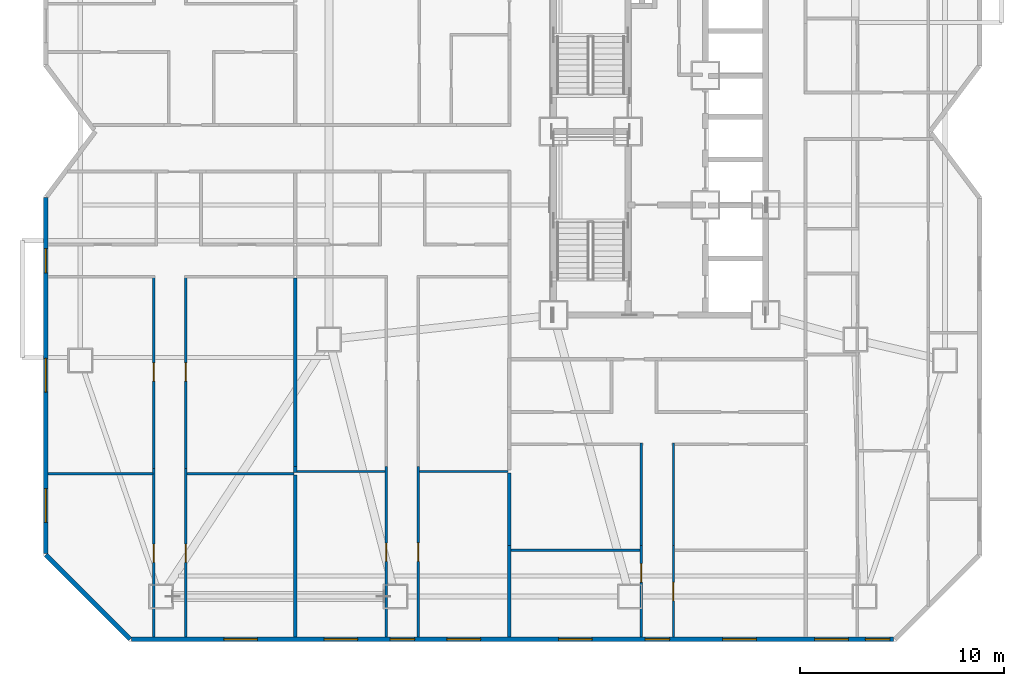
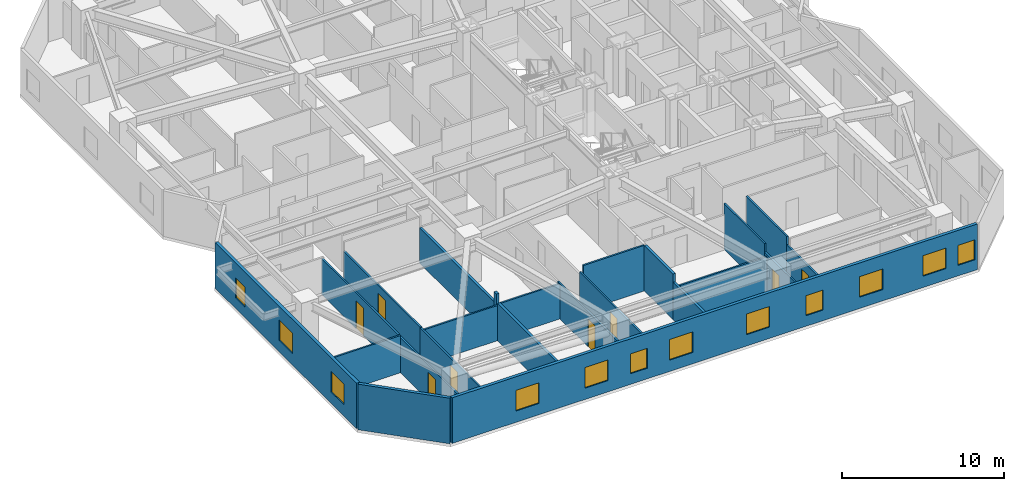
# One storey, part 7 of 14: 23 walls, 12 windows, 8 doors, 20 openings.
"""IFC4 building model written with IfcOpenShell, lengths in metres."""

from ifc_helpers import new_model, si_unit, direction, frame, frame_2d, origin, place, context, subcontext, project, spatial, rectangle, extrude, material, layer, layer_set, type_object, element, fill, save


model = new_model("IFC4")

# Units and contexts
model_context = context("Model", 3, precision=1e-05, world=origin(), true_north=direction((0.0, 1.0)))
body_context = subcontext(model_context, "Body", "Model", "MODEL_VIEW")
ifc_project = project(units=[si_unit("LENGTHUNIT", "METRE"), si_unit("AREAUNIT", "SQUARE_METRE"), si_unit("VOLUMEUNIT", "CUBIC_METRE"), si_unit("PLANEANGLEUNIT", "RADIAN"), si_unit("MASSUNIT", "GRAM", prefix="KILO")], contexts=[model_context])

# Site, building, storey
site_placement = place(None, origin())
site = spatial("IfcSite", under=ifc_project, at=site_placement, CompositionType="ELEMENT")
building_placement = place(site_placement, origin())
building = spatial("IfcBuilding", under=site, at=building_placement, Name="Khamvora Tower", CompositionType="ELEMENT")
storey_placement = place(building_placement, frame((0.0, 0.0, 40.60009765625)))
storey = spatial("IfcBuildingStorey", under=building, at=storey_placement, Name="L09", CompositionType="ELEMENT", Elevation=40.60009765625)

# Walls
ifc_material_1 = material(Name="Acoustic Double-Stud Fire Wall", Category="gypsum")
ifc_layer_1 = layer(ifc_material_1, 0.179931640625)
ifc_layer_set_1 = layer_set([ifc_layer_1], Name="Acoustic Double-Stud Fire Wall")
wall_type_1 = type_object("IfcWallType", Name="WAL-CORR-180", PredefinedType="STANDARD", material=ifc_layer_set_1)
wall_1_placement = place(storey_placement, frame((16.345947265625, 11.1630859375, 0.0), z_axis=(0.0, 0.0, 1.0), x_axis=(0.0, -1.0, 0.0)))
element("IfcWall", 1, at=wall_1_placement, inside=storey, type_object=wall_type_1, Name="L09 interior partition wall 053", PredefinedType="STANDARD", context=body_context, shape_type="SweptSolid", body=[
    extrude(rectangle(XDim=7.951171875, YDim=0.179931640625, at=frame_2d((3.9755859375, 0.0))), origin(), (0.0, 0.0, 1.0), 2.802978515625),
])
wall_2_placement = place(storey_placement, frame((16.345947265625, 11.5810546875, 0.0), z_axis=(0.0, 0.0, 1.0), x_axis=(0.0, -1.0, 0.0)))
element("IfcWall", 2, at=wall_2_placement, inside=storey, type_object=wall_type_1, Name="L09 interior partition wall 054", PredefinedType="STANDARD", context=body_context, shape_type="SweptSolid", body=[
    extrude(rectangle(XDim=0.2880859375, YDim=0.179931640625, at=frame_2d((0.14404296875, 0.0))), origin(), (0.0, 0.0, 1.0), 3.429931640625),
])
wall_3_placement = place(storey_placement, frame((16.345947265625, 20.81005859375, 0.0), z_axis=(0.0, 0.0, 1.0), x_axis=(0.0, -1.0, 0.0)))
element("IfcWall", 3, at=wall_3_placement, inside=storey, type_object=wall_type_1, Name="L09 interior partition wall 055", PredefinedType="STANDARD", context=body_context, shape_type="SweptSolid", body=[
    extrude(rectangle(XDim=9.22900390625, YDim=0.179931640625, at=frame_2d((4.614501953125, 0.0))), origin(), (0.0, 0.0, 1.0), 2.64697265625),
])
wall_4_placement = place(storey_placement, frame((26.8349609375, 7.7119140625, 0.0), z_axis=(0.0, 0.0, 1.0), x_axis=(0.0, -1.0, 0.0)))
element("IfcWall", 4, at=wall_4_placement, inside=storey, type_object=wall_type_1, Name="L09 interior partition wall 068", PredefinedType="STANDARD", context=body_context, shape_type="SweptSolid", body=[
    extrude(rectangle(XDim=4.5, YDim=0.179931640625, at=frame_2d((2.25, 0.0))), origin(), (0.0, 0.0, 1.0), 2.802978515625),
])
wall_5_placement = place(storey_placement, frame((26.8349609375, 11.26708984375, 0.0), z_axis=(0.0, 0.0, 1.0), x_axis=(0.0, -1.0, 0.0)))
element("IfcWall", 5, at=wall_5_placement, inside=storey, type_object=wall_type_1, Name="L09 interior partition wall 069", PredefinedType="STANDARD", context=body_context, shape_type="SweptSolid", body=[
    extrude(rectangle(XDim=3.55517578125, YDim=0.179931640625, at=frame_2d((1.777587890625, 0.0))), origin(), (0.0, 0.0, 1.0), 3.429931640625),
])
ifc_material_2 = material(Name="Precast concrete C40/50", Category="concrete")
ifc_layer_2 = layer(ifc_material_2, 0.219970703125)
ifc_layer_set_2 = layer_set([ifc_layer_2], Name="Precast concrete C40/50")
wall_type_2 = type_object("IfcWallType", Name="WAL-EXT-220", PredefinedType="STANDARD", material=ifc_layer_set_2)
wall_6_placement = place(storey_placement, frame((8.24609375, 3.110107421875, 0.0), z_axis=(0.0, 0.0, 1.0), x_axis=(-0.707106781187, 0.707106781187, 0.0)))
element("IfcWall", 6, at=wall_6_placement, inside=storey, type_object=wall_type_2, Name="L09 exterior facade wall 01.1", PredefinedType="STANDARD", context=body_context, shape_type="SweptSolid", body=[
    extrude(rectangle(XDim=5.84912109375, YDim=0.219970703125, at=frame_2d((2.924560546875, 0.0))), origin(), (0.0, 0.0, 1.0), 3.429931640625),
])

# Wall, openings, windows
wall_7_placement = place(storey_placement, frame((4.110107421875, 7.31689453125, 0.0), z_axis=(0.0, 0.0, 1.0), x_axis=(0.0, 1.0, 0.0)))
wall_7 = element("IfcWall", 7, at=wall_7_placement, inside=storey, type_object=wall_type_2, Name="L09 exterior facade wall 02.1", PredefinedType="STANDARD", context=body_context, shape_type="SweptSolid", body=[
    extrude(rectangle(XDim=17.446044921875, YDim=0.219970703125, at=frame_2d((8.72314453125, 0.0))), origin(), (0.0, 0.0, 1.0), 3.429931640625),
])
opening_1_placement = place(wall_7_placement, frame((13.748046875, 0.0, 0.800048828125)))
opening_1 = element("IfcOpeningElement", 8, at=opening_1_placement, cuts=wall_7, Name="Opening WN-03", PredefinedType="OPENING", context=body_context, shape_type="SweptSolid", body=[
    extrude(rectangle(XDim=1.199951171875, YDim=1.5, at=frame_2d((0.60009765625, 0.75))), frame((0.0, 0.119873046875, 0.0), z_axis=(0.0, -1.0, 0.0), x_axis=(1.0, 0.0, 0.0)), (0.0, 0.0, 1.0), 0.239990234375),
])
opening_2_placement = place(wall_7_placement, frame((1.52294921875, 0.0, 0.85009765625)))
opening_2 = element("IfcOpeningElement", 9, at=opening_2_placement, cuts=wall_7, Name="Opening WN-06", PredefinedType="OPENING", context=body_context, shape_type="SweptSolid", body=[
    extrude(rectangle(XDim=1.64990234375, YDim=1.550048828125, at=frame_2d((0.824951171875, 0.77490234375))), frame((0.0, 0.119873046875, 0.0), z_axis=(0.0, -1.0, 0.0), x_axis=(1.0, 0.0, 0.0)), (0.0, 0.0, 1.0), 0.239990234375),
])
opening_3_placement = place(wall_7_placement, frame((7.909912109375, 0.0, 0.85009765625)))
opening_3 = element("IfcOpeningElement", 10, at=opening_3_placement, cuts=wall_7, Name="Opening WN-06", PredefinedType="OPENING", context=body_context, shape_type="SweptSolid", body=[
    extrude(rectangle(XDim=1.64990234375, YDim=1.550048828125, at=frame_2d((0.824951171875, 0.77490234375))), frame((0.0, 0.119873046875, 0.0), z_axis=(0.0, -1.0, 0.0), x_axis=(1.0, 0.0, 0.0)), (0.0, 0.0, 1.0), 0.239990234375),
])
ifc_material_3 = material(Name="Low-E Laminated Double Glazing", Category="glass")
window_type_1 = type_object("IfcWindowType", Name="WIN-VIS-1200x1500", PartitioningType="SINGLE_PANEL", PredefinedType="WINDOW", material=ifc_material_3)
window_1_placement = place(opening_1_placement, origin())
window_1 = element("IfcWindow", 11, at=window_1_placement, inside=storey, type_object=window_type_1, Name="L09 vision window 02.1.01", OverallHeight=1.5, OverallWidth=1.199951171875, PartitioningType="SINGLE_PANEL", PredefinedType="WINDOW", context=body_context, shape_type="SweptSolid", body=[
    extrude(rectangle(XDim=1.199951171875, YDim=1.5, at=frame_2d((0.60009765625, 0.75))), frame((0.0, 0.030029296875, 0.0), z_axis=(0.0, -1.0, 0.0), x_axis=(1.0, 0.0, 0.0)), (0.0, 0.0, 1.0), 0.06005859375),
])
fill(opening_1, window_1)
window_type_2 = type_object("IfcWindowType", Name="WIN-VIS-1650x1550", PartitioningType="SINGLE_PANEL", PredefinedType="WINDOW", material=ifc_material_3)
window_2_placement = place(opening_2_placement, origin())
window_2 = element("IfcWindow", 12, at=window_2_placement, inside=storey, type_object=window_type_2, Name="L09 vision window 02.1.02", OverallHeight=1.550048828125, OverallWidth=1.64990234375, PartitioningType="SINGLE_PANEL", PredefinedType="WINDOW", context=body_context, shape_type="SweptSolid", body=[
    extrude(rectangle(XDim=1.64990234375, YDim=1.550048828125, at=frame_2d((0.824951171875, 0.77490234375))), frame((0.0, 0.030029296875, 0.0), z_axis=(0.0, -1.0, 0.0), x_axis=(1.0, 0.0, 0.0)), (0.0, 0.0, 1.0), 0.06005859375),
])
fill(opening_2, window_2)
window_3_placement = place(opening_3_placement, origin())
window_3 = element("IfcWindow", 13, at=window_3_placement, inside=storey, type_object=window_type_2, Name="L09 vision window 02.1.03", OverallHeight=1.550048828125, OverallWidth=1.64990234375, PartitioningType="SINGLE_PANEL", PredefinedType="WINDOW", context=body_context, shape_type="SweptSolid", body=[
    extrude(rectangle(XDim=1.64990234375, YDim=1.550048828125, at=frame_2d((0.824951171875, 0.77490234375))), frame((0.0, 0.030029296875, 0.0), z_axis=(0.0, -1.0, 0.0), x_axis=(1.0, 0.0, 0.0)), (0.0, 0.0, 1.0), 0.06005859375),
])
fill(opening_3, window_3)

wall_8_placement = place(storey_placement, frame((45.68310546875, 3.110107421875, 0.0), z_axis=(0.0, 0.0, 1.0), x_axis=(-1.0, 0.0, 0.0)))
wall_8 = element("IfcWall", 14, at=wall_8_placement, inside=storey, type_object=wall_type_2, Name="L09 exterior facade wall 14.1", PredefinedType="STANDARD", context=body_context, shape_type="SweptSolid", body=[
    extrude(rectangle(XDim=37.3681640625, YDim=0.219970703125, at=frame_2d((18.68408203125, 0.0))), origin(), (0.0, 0.0, 1.0), 3.429931640625),
])
opening_4_placement = place(wall_8_placement, frame((31.194091796875, 0.0, 0.85009765625)))
opening_4 = element("IfcOpeningElement", 15, at=opening_4_placement, cuts=wall_8, Name="Opening WN-06", PredefinedType="OPENING", context=body_context, shape_type="SweptSolid", body=[
    extrude(rectangle(XDim=1.64990234375, YDim=1.550048828125, at=frame_2d((0.824951171875, 0.77490234375))), frame((0.0, 0.119873046875, 0.0), z_axis=(0.0, -1.0, 0.0), x_axis=(1.0, 0.0, 0.0)), (0.0, 0.0, 1.0), 0.239990234375),
])
opening_5_placement = place(wall_8_placement, frame((23.491943359375, 0.0, 0.800048828125)))
opening_5 = element("IfcOpeningElement", 16, at=opening_5_placement, cuts=wall_8, Name="Opening WN-03", PredefinedType="OPENING", context=body_context, shape_type="SweptSolid", body=[
    extrude(rectangle(XDim=1.199951171875, YDim=1.5, at=frame_2d((0.60009765625, 0.75))), frame((0.0, 0.119873046875, 0.0), z_axis=(0.0, -1.0, 0.0), x_axis=(1.0, 0.0, 0.0)), (0.0, 0.0, 1.0), 0.239990234375),
])
opening_6_placement = place(wall_8_placement, frame((26.281982421875, 0.0, 0.85009765625)))
opening_6 = element("IfcOpeningElement", 17, at=opening_6_placement, cuts=wall_8, Name="Opening WN-06", PredefinedType="OPENING", context=body_context, shape_type="SweptSolid", body=[
    extrude(rectangle(XDim=1.64990234375, YDim=1.550048828125, at=frame_2d((0.824951171875, 0.77490234375))), frame((0.0, 0.119873046875, 0.0), z_axis=(0.0, -1.0, 0.0), x_axis=(1.0, 0.0, 0.0)), (0.0, 0.0, 1.0), 0.239990234375),
])
opening_7_placement = place(wall_8_placement, frame((20.2529296875, 0.0, 0.85009765625)))
opening_7 = element("IfcOpeningElement", 18, at=opening_7_placement, cuts=wall_8, Name="Opening WN-06", PredefinedType="OPENING", context=body_context, shape_type="SweptSolid", body=[
    extrude(rectangle(XDim=1.64990234375, YDim=1.550048828125, at=frame_2d((0.824951171875, 0.77490234375))), frame((0.0, 0.119873046875, 0.0), z_axis=(0.0, -1.0, 0.0), x_axis=(1.0, 0.0, 0.0)), (0.0, 0.0, 1.0), 0.239990234375),
])
opening_8_placement = place(wall_8_placement, frame((10.98291015625, 0.0, 0.800048828125)))
opening_8 = element("IfcOpeningElement", 19, at=opening_8_placement, cuts=wall_8, Name="Opening WN-03", PredefinedType="OPENING", context=body_context, shape_type="SweptSolid", body=[
    extrude(rectangle(XDim=1.199951171875, YDim=1.5, at=frame_2d((0.60009765625, 0.75))), frame((0.0, 0.119873046875, 0.0), z_axis=(0.0, -1.0, 0.0), x_axis=(1.0, 0.0, 0.0)), (0.0, 0.0, 1.0), 0.239990234375),
])
opening_9_placement = place(wall_8_placement, frame((14.782958984375, 0.0, 0.85009765625)))
opening_9 = element("IfcOpeningElement", 20, at=opening_9_placement, cuts=wall_8, Name="Opening WN-06", PredefinedType="OPENING", context=body_context, shape_type="SweptSolid", body=[
    extrude(rectangle(XDim=1.64990234375, YDim=1.550048828125, at=frame_2d((0.824951171875, 0.77490234375))), frame((0.0, 0.119873046875, 0.0), z_axis=(0.0, -1.0, 0.0), x_axis=(1.0, 0.0, 0.0)), (0.0, 0.0, 1.0), 0.239990234375),
])
opening_10_placement = place(wall_8_placement, frame((6.73291015625, 0.0, 0.85009765625)))
opening_10 = element("IfcOpeningElement", 21, at=opening_10_placement, cuts=wall_8, Name="Opening WN-06", PredefinedType="OPENING", context=body_context, shape_type="SweptSolid", body=[
    extrude(rectangle(XDim=1.64990234375, YDim=1.550048828125, at=frame_2d((0.824951171875, 0.77490234375))), frame((0.0, 0.119873046875, 0.0), z_axis=(0.0, -1.0, 0.0), x_axis=(1.0, 0.0, 0.0)), (0.0, 0.0, 1.0), 0.239990234375),
])
opening_11_placement = place(wall_8_placement, frame((2.22802734375, 0.0, 0.85009765625)))
opening_11 = element("IfcOpeningElement", 22, at=opening_11_placement, cuts=wall_8, Name="Opening WN-06", PredefinedType="OPENING", context=body_context, shape_type="SweptSolid", body=[
    extrude(rectangle(XDim=1.64990234375, YDim=1.550048828125, at=frame_2d((0.824951171875, 0.77490234375))), frame((0.0, 0.119873046875, 0.0), z_axis=(0.0, -1.0, 0.0), x_axis=(1.0, 0.0, 0.0)), (0.0, 0.0, 1.0), 0.239990234375),
])
opening_12_placement = place(wall_8_placement, frame((0.18701171875, 0.0, 0.800048828125)))
opening_12 = element("IfcOpeningElement", 23, at=opening_12_placement, cuts=wall_8, Name="Opening WN-03", PredefinedType="OPENING", context=body_context, shape_type="SweptSolid", body=[
    extrude(rectangle(XDim=1.199951171875, YDim=1.5, at=frame_2d((0.60009765625, 0.75))), frame((0.0, 0.119873046875, 0.0), z_axis=(0.0, -1.0, 0.0), x_axis=(1.0, 0.0, 0.0)), (0.0, 0.0, 1.0), 0.239990234375),
])
window_4_placement = place(opening_5_placement, origin())
window_4 = element("IfcWindow", 24, at=window_4_placement, inside=storey, type_object=window_type_1, Name="L09 vision window 14.1.02", OverallHeight=1.5, OverallWidth=1.199951171875, PartitioningType="SINGLE_PANEL", PredefinedType="WINDOW", context=body_context, shape_type="SweptSolid", body=[
    extrude(rectangle(XDim=1.199951171875, YDim=1.5, at=frame_2d((0.60009765625, 0.75))), frame((0.0, 0.030029296875, 0.0), z_axis=(0.0, -1.0, 0.0), x_axis=(1.0, 0.0, 0.0)), (0.0, 0.0, 1.0), 0.06005859375),
])
fill(opening_5, window_4)
window_5_placement = place(opening_8_placement, origin())
window_5 = element("IfcWindow", 25, at=window_5_placement, inside=storey, type_object=window_type_1, Name="L09 vision window 14.1.05", OverallHeight=1.5, OverallWidth=1.199951171875, PartitioningType="SINGLE_PANEL", PredefinedType="WINDOW", context=body_context, shape_type="SweptSolid", body=[
    extrude(rectangle(XDim=1.199951171875, YDim=1.5, at=frame_2d((0.60009765625, 0.75))), frame((0.0, 0.030029296875, 0.0), z_axis=(0.0, -1.0, 0.0), x_axis=(1.0, 0.0, 0.0)), (0.0, 0.0, 1.0), 0.06005859375),
])
fill(opening_8, window_5)
window_6_placement = place(opening_12_placement, origin())
window_6 = element("IfcWindow", 26, at=window_6_placement, inside=storey, type_object=window_type_1, Name="L09 vision window 14.1.09", OverallHeight=1.5, OverallWidth=1.199951171875, PartitioningType="SINGLE_PANEL", PredefinedType="WINDOW", context=body_context, shape_type="SweptSolid", body=[
    extrude(rectangle(XDim=1.199951171875, YDim=1.5, at=frame_2d((0.60009765625, 0.75))), frame((0.0, 0.030029296875, 0.0), z_axis=(0.0, -1.0, 0.0), x_axis=(1.0, 0.0, 0.0)), (0.0, 0.0, 1.0), 0.06005859375),
])
fill(opening_12, window_6)
window_7_placement = place(opening_4_placement, origin())
window_7 = element("IfcWindow", 27, at=window_7_placement, inside=storey, type_object=window_type_2, Name="L09 vision window 14.1.01", OverallHeight=1.550048828125, OverallWidth=1.64990234375, PartitioningType="SINGLE_PANEL", PredefinedType="WINDOW", context=body_context, shape_type="SweptSolid", body=[
    extrude(rectangle(XDim=1.64990234375, YDim=1.550048828125, at=frame_2d((0.824951171875, 0.77490234375))), frame((0.0, 0.030029296875, 0.0), z_axis=(0.0, -1.0, 0.0), x_axis=(1.0, 0.0, 0.0)), (0.0, 0.0, 1.0), 0.06005859375),
])
fill(opening_4, window_7)
window_8_placement = place(opening_6_placement, origin())
window_8 = element("IfcWindow", 28, at=window_8_placement, inside=storey, type_object=window_type_2, Name="L09 vision window 14.1.03", OverallHeight=1.550048828125, OverallWidth=1.64990234375, PartitioningType="SINGLE_PANEL", PredefinedType="WINDOW", context=body_context, shape_type="SweptSolid", body=[
    extrude(rectangle(XDim=1.64990234375, YDim=1.550048828125, at=frame_2d((0.824951171875, 0.77490234375))), frame((0.0, 0.030029296875, 0.0), z_axis=(0.0, -1.0, 0.0), x_axis=(1.0, 0.0, 0.0)), (0.0, 0.0, 1.0), 0.06005859375),
])
fill(opening_6, window_8)
window_9_placement = place(opening_7_placement, origin())
window_9 = element("IfcWindow", 29, at=window_9_placement, inside=storey, type_object=window_type_2, Name="L09 vision window 14.1.04", OverallHeight=1.550048828125, OverallWidth=1.64990234375, PartitioningType="SINGLE_PANEL", PredefinedType="WINDOW", context=body_context, shape_type="SweptSolid", body=[
    extrude(rectangle(XDim=1.64990234375, YDim=1.550048828125, at=frame_2d((0.824951171875, 0.77490234375))), frame((0.0, 0.030029296875, 0.0), z_axis=(0.0, -1.0, 0.0), x_axis=(1.0, 0.0, 0.0)), (0.0, 0.0, 1.0), 0.06005859375),
])
fill(opening_7, window_9)
window_10_placement = place(opening_9_placement, origin())
window_10 = element("IfcWindow", 30, at=window_10_placement, inside=storey, type_object=window_type_2, Name="L09 vision window 14.1.06", OverallHeight=1.550048828125, OverallWidth=1.64990234375, PartitioningType="SINGLE_PANEL", PredefinedType="WINDOW", context=body_context, shape_type="SweptSolid", body=[
    extrude(rectangle(XDim=1.64990234375, YDim=1.550048828125, at=frame_2d((0.824951171875, 0.77490234375))), frame((0.0, 0.030029296875, 0.0), z_axis=(0.0, -1.0, 0.0), x_axis=(1.0, 0.0, 0.0)), (0.0, 0.0, 1.0), 0.06005859375),
])
fill(opening_9, window_10)
window_11_placement = place(opening_10_placement, origin())
window_11 = element("IfcWindow", 31, at=window_11_placement, inside=storey, type_object=window_type_2, Name="L09 vision window 14.1.07", OverallHeight=1.550048828125, OverallWidth=1.64990234375, PartitioningType="SINGLE_PANEL", PredefinedType="WINDOW", context=body_context, shape_type="SweptSolid", body=[
    extrude(rectangle(XDim=1.64990234375, YDim=1.550048828125, at=frame_2d((0.824951171875, 0.77490234375))), frame((0.0, 0.030029296875, 0.0), z_axis=(0.0, -1.0, 0.0), x_axis=(1.0, 0.0, 0.0)), (0.0, 0.0, 1.0), 0.06005859375),
])
fill(opening_10, window_11)
window_12_placement = place(opening_11_placement, origin())
window_12 = element("IfcWindow", 32, at=window_12_placement, inside=storey, type_object=window_type_2, Name="L09 vision window 14.1.08", OverallHeight=1.550048828125, OverallWidth=1.64990234375, PartitioningType="SINGLE_PANEL", PredefinedType="WINDOW", context=body_context, shape_type="SweptSolid", body=[
    extrude(rectangle(XDim=1.64990234375, YDim=1.550048828125, at=frame_2d((0.824951171875, 0.77490234375))), frame((0.0, 0.030029296875, 0.0), z_axis=(0.0, -1.0, 0.0), x_axis=(1.0, 0.0, 0.0)), (0.0, 0.0, 1.0), 0.06005859375),
])
fill(opening_11, window_12)

# Wall, opening, door
ifc_material_4 = material(Name="Gypsum Plasterboard Partition", Category="gypsum")
ifc_layer_3 = layer(ifc_material_4, 0.1201171875)
ifc_layer_set_3 = layer_set([ifc_layer_3], Name="Gypsum Plasterboard Partition")
wall_type_3 = type_object("IfcWallType", Name="WAL-PART-120", PredefinedType="PARTITIONING", material=ifc_layer_set_3)
wall_9_placement = place(storey_placement, frame((9.410888671875, 3.2119140625, 0.0), z_axis=(0.0, 0.0, 1.0), x_axis=(0.0, 1.0, 0.0)))
wall_9 = element("IfcWall", 33, at=wall_9_placement, inside=storey, type_object=wall_type_3, Name="L09 interior partition wall 043", PredefinedType="PARTITIONING", context=body_context, shape_type="SweptSolid", body=[
    extrude(rectangle(XDim=8.26513671875, YDim=0.1201171875, at=frame_2d((4.132568359375, 0.0))), origin(), (0.0, 0.0, 1.0), 2.64697265625),
])
opening_13_placement = place(wall_9_placement, frame((3.662109375, 0.0, 0.0)))
opening_13 = element("IfcOpeningElement", 34, at=opening_13_placement, cuts=wall_9, Name="Opening D-RM1", PredefinedType="OPENING", context=body_context, shape_type="SweptSolid", body=[
    extrude(rectangle(XDim=0.89990234375, YDim=2.10009765625, at=frame_2d((0.449951171875, 1.050048828125))), frame((0.0, 0.070068359375, 0.0), z_axis=(0.0, -1.0, 0.0), x_axis=(1.0, 0.0, 0.0)), (0.0, 0.0, 1.0), 0.14013671875),
])
ifc_material_5 = material(Name="Powder-Coated Steel and Hardwood Leaf", Category="steel")
door_type = type_object("IfcDoorType", Name="DOR-ROOM-900", OperationType="NOTDEFINED", PredefinedType="DOOR", material=ifc_material_5)
door_1_placement = place(opening_13_placement, origin())
door_1 = element("IfcDoor", 35, at=door_1_placement, inside=storey, type_object=door_type, Name="L09 interior door 09WA1H-09WA1L", OperationType="SINGLE_SWING_RIGHT", OverallHeight=2.10009765625, OverallWidth=0.89990234375, PredefinedType="DOOR", context=body_context, shape_type="SweptSolid", body=[
    extrude(rectangle(XDim=0.89990234375, YDim=2.10009765625, at=frame_2d((0.449951171875, 1.050048828125))), frame((0.0, 0.02490234375, 0.0), z_axis=(0.0, -1.0, 0.0), x_axis=(1.0, 0.0, 0.0)), (0.0, 0.0, 1.0), 0.050048828125),
])
fill(opening_13, door_1)

wall_10_placement = place(storey_placement, frame((9.410888671875, 11.47705078125, 0.0), z_axis=(0.0, 0.0, 1.0), x_axis=(0.0, 1.0, 0.0)))
wall_10 = element("IfcWall", 36, at=wall_10_placement, inside=storey, type_object=wall_type_3, Name="L09 interior partition wall 044", PredefinedType="PARTITIONING", context=body_context, shape_type="SweptSolid", body=[
    extrude(rectangle(XDim=9.462890625, YDim=0.1201171875, at=frame_2d((4.7314453125, 0.0))), origin(), (0.0, 0.0, 1.0), 2.68701171875),
])
opening_14_placement = place(wall_10_placement, frame((4.281005859375, 0.0, 0.0)))
opening_14 = element("IfcOpeningElement", 37, at=opening_14_placement, cuts=wall_10, Name="Opening D-RM1", PredefinedType="OPENING", context=body_context, shape_type="SweptSolid", body=[
    extrude(rectangle(XDim=0.89990234375, YDim=2.10009765625, at=frame_2d((0.449951171875, 1.050048828125))), frame((0.0, 0.070068359375, 0.0), z_axis=(0.0, -1.0, 0.0), x_axis=(1.0, 0.0, 0.0)), (0.0, 0.0, 1.0), 0.14013671875),
])
door_2_placement = place(opening_14_placement, origin())
door_2 = element("IfcDoor", 38, at=door_2_placement, inside=storey, type_object=door_type, Name="L09 interior door 09WA1H-09WA1R2", OperationType="SINGLE_SWING_LEFT", OverallHeight=2.10009765625, OverallWidth=0.89990234375, PredefinedType="DOOR", context=body_context, shape_type="SweptSolid", body=[
    extrude(rectangle(XDim=0.89990234375, YDim=2.10009765625, at=frame_2d((0.449951171875, 1.050048828125))), frame((0.0, 0.02490234375, 0.0), z_axis=(0.0, -1.0, 0.0), x_axis=(1.0, 0.0, 0.0)), (0.0, 0.0, 1.0), 0.050048828125),
])
fill(opening_14, door_2)

wall_11_placement = place(storey_placement, frame((10.98095703125, 11.47705078125, 0.0), z_axis=(0.0, 0.0, 1.0), x_axis=(0.0, -1.0, 0.0)))
wall_11 = element("IfcWall", 39, at=wall_11_placement, inside=storey, type_object=wall_type_3, Name="L09 interior partition wall 046", PredefinedType="PARTITIONING", context=body_context, shape_type="SweptSolid", body=[
    extrude(rectangle(XDim=8.26513671875, YDim=0.1201171875, at=frame_2d((4.132568359375, 0.0))), origin(), (0.0, 0.0, 1.0), 2.64697265625),
])
opening_15_placement = place(wall_11_placement, frame((3.7041015625, 0.0, 0.0)))
opening_15 = element("IfcOpeningElement", 40, at=opening_15_placement, cuts=wall_11, Name="Opening D-RM1", PredefinedType="OPENING", context=body_context, shape_type="SweptSolid", body=[
    extrude(rectangle(XDim=0.89990234375, YDim=2.10009765625, at=frame_2d((0.449951171875, 1.050048828125))), frame((0.0, 0.070068359375, 0.0), z_axis=(0.0, -1.0, 0.0), x_axis=(1.0, 0.0, 0.0)), (0.0, 0.0, 1.0), 0.14013671875),
])
door_3_placement = place(opening_15_placement, origin())
door_3 = element("IfcDoor", 41, at=door_3_placement, inside=storey, type_object=door_type, Name="L09 interior door 09WA1H-09WA1R3", OperationType="SINGLE_SWING_RIGHT", OverallHeight=2.10009765625, OverallWidth=0.89990234375, PredefinedType="DOOR", context=body_context, shape_type="SweptSolid", body=[
    extrude(rectangle(XDim=0.89990234375, YDim=2.10009765625, at=frame_2d((0.449951171875, 1.050048828125))), frame((0.0, 0.02490234375, 0.0), z_axis=(0.0, -1.0, 0.0), x_axis=(1.0, 0.0, 0.0)), (0.0, 0.0, 1.0), 0.050048828125),
])
fill(opening_15, door_3)

wall_12_placement = place(storey_placement, frame((10.98095703125, 20.93994140625, 0.0), z_axis=(0.0, 0.0, 1.0), x_axis=(0.0, -1.0, 0.0)))
wall_12 = element("IfcWall", 42, at=wall_12_placement, inside=storey, type_object=wall_type_3, Name="L09 interior partition wall 047", PredefinedType="PARTITIONING", context=body_context, shape_type="SweptSolid", body=[
    extrude(rectangle(XDim=9.462890625, YDim=0.1201171875, at=frame_2d((4.7314453125, 0.0))), origin(), (0.0, 0.0, 1.0), 2.68701171875),
])
opening_16_placement = place(wall_12_placement, frame((4.281005859375, 0.0, 0.0)))
opening_16 = element("IfcOpeningElement", 43, at=opening_16_placement, cuts=wall_12, Name="Opening D-RM1", PredefinedType="OPENING", context=body_context, shape_type="SweptSolid", body=[
    extrude(rectangle(XDim=0.89990234375, YDim=2.10009765625, at=frame_2d((0.449951171875, 1.050048828125))), frame((0.0, 0.070068359375, 0.0), z_axis=(0.0, -1.0, 0.0), x_axis=(1.0, 0.0, 0.0)), (0.0, 0.0, 1.0), 0.14013671875),
])
door_4_placement = place(opening_16_placement, origin())
door_4 = element("IfcDoor", 44, at=door_4_placement, inside=storey, type_object=door_type, Name="L09 interior door 09WA1H-09WA1R4", OperationType="SINGLE_SWING_LEFT", OverallHeight=2.10009765625, OverallWidth=0.89990234375, PredefinedType="DOOR", context=body_context, shape_type="SweptSolid", body=[
    extrude(rectangle(XDim=0.89990234375, YDim=2.10009765625, at=frame_2d((0.449951171875, 1.050048828125))), frame((0.0, 0.02490234375, 0.0), z_axis=(0.0, -1.0, 0.0), x_axis=(1.0, 0.0, 0.0)), (0.0, 0.0, 1.0), 0.050048828125),
])
fill(opening_16, door_4)

# Walls
wall_13_placement = place(storey_placement, frame((4.2119140625, 11.22802734375, 0.0), z_axis=(0.0, 0.0, 1.0), x_axis=(1.0, 0.0, 0.0)))
element("IfcWall", 45, at=wall_13_placement, inside=storey, type_object=wall_type_3, Name="L09 interior partition wall 051", PredefinedType="PARTITIONING", context=body_context, shape_type="SweptSolid", body=[
    extrude(rectangle(XDim=5.14501953125, YDim=0.1201171875, at=frame_2d((2.572509765625, 0.0))), origin(), (0.0, 0.0, 1.0), 2.802978515625),
])
wall_14_placement = place(storey_placement, frame((11.034912109375, 11.22802734375, 0.0), z_axis=(0.0, 0.0, 1.0), x_axis=(1.0, 0.0, 0.0)))
element("IfcWall", 46, at=wall_14_placement, inside=storey, type_object=wall_type_3, Name="L09 interior partition wall 052", PredefinedType="PARTITIONING", context=body_context, shape_type="SweptSolid", body=[
    extrude(rectangle(XDim=5.24609375, YDim=0.1201171875, at=frame_2d((2.623046875, 0.0))), origin(), (0.0, 0.0, 1.0), 2.64697265625),
])

# Wall, opening, door
wall_15_placement = place(storey_placement, frame((20.805908203125, 3.2119140625, 0.0), z_axis=(0.0, 0.0, 1.0), x_axis=(0.0, 1.0, 0.0)))
wall_15 = element("IfcWall", 47, at=wall_15_placement, inside=storey, type_object=wall_type_3, Name="L09 interior partition wall 060", PredefinedType="PARTITIONING", context=body_context, shape_type="SweptSolid", body=[
    extrude(rectangle(XDim=8.369140625, YDim=0.1201171875, at=frame_2d((4.1845703125, 0.0))), origin(), (0.0, 0.0, 1.0), 2.64697265625),
])
opening_17_placement = place(wall_15_placement, frame((3.712890625, 0.0, 0.0)))
opening_17 = element("IfcOpeningElement", 48, at=opening_17_placement, cuts=wall_15, Name="Opening D-RM1", PredefinedType="OPENING", context=body_context, shape_type="SweptSolid", body=[
    extrude(rectangle(XDim=0.89990234375, YDim=2.10009765625, at=frame_2d((0.449951171875, 1.050048828125))), frame((0.0, 0.070068359375, 0.0), z_axis=(0.0, -1.0, 0.0), x_axis=(1.0, 0.0, 0.0)), (0.0, 0.0, 1.0), 0.14013671875),
])
door_5_placement = place(opening_17_placement, origin())
door_5 = element("IfcDoor", 49, at=door_5_placement, inside=storey, type_object=door_type, Name="L09 interior door 09WA2H-09WA2R1", OperationType="SINGLE_SWING_RIGHT", OverallHeight=2.10009765625, OverallWidth=0.89990234375, PredefinedType="DOOR", context=body_context, shape_type="SweptSolid", body=[
    extrude(rectangle(XDim=0.89990234375, YDim=2.10009765625, at=frame_2d((0.449951171875, 1.050048828125))), frame((0.0, 0.02490234375, 0.0), z_axis=(0.0, -1.0, 0.0), x_axis=(1.0, 0.0, 0.0)), (0.0, 0.0, 1.0), 0.050048828125),
])
fill(opening_17, door_5)

wall_16_placement = place(storey_placement, frame((22.3759765625, 11.5810546875, 0.0), z_axis=(0.0, 0.0, 1.0), x_axis=(0.0, -1.0, 0.0)))
wall_16 = element("IfcWall", 50, at=wall_16_placement, inside=storey, type_object=wall_type_3, Name="L09 interior partition wall 063", PredefinedType="PARTITIONING", context=body_context, shape_type="SweptSolid", body=[
    extrude(rectangle(XDim=8.369140625, YDim=0.1201171875, at=frame_2d((4.1845703125, 0.0))), origin(), (0.0, 0.0, 1.0), 2.802978515625),
])
opening_18_placement = place(wall_16_placement, frame((3.7548828125, 0.0, 0.0)))
opening_18 = element("IfcOpeningElement", 51, at=opening_18_placement, cuts=wall_16, Name="Opening D-RM1", PredefinedType="OPENING", context=body_context, shape_type="SweptSolid", body=[
    extrude(rectangle(XDim=0.89990234375, YDim=2.10009765625, at=frame_2d((0.449951171875, 1.050048828125))), frame((0.0, 0.070068359375, 0.0), z_axis=(0.0, -1.0, 0.0), x_axis=(1.0, 0.0, 0.0)), (0.0, 0.0, 1.0), 0.14013671875),
])
door_6_placement = place(opening_18_placement, origin())
door_6 = element("IfcDoor", 52, at=door_6_placement, inside=storey, type_object=door_type, Name="L09 interior door 09WA2H-09WA2R3", OperationType="SINGLE_SWING_RIGHT", OverallHeight=2.10009765625, OverallWidth=0.89990234375, PredefinedType="DOOR", context=body_context, shape_type="SweptSolid", body=[
    extrude(rectangle(XDim=0.89990234375, YDim=2.10009765625, at=frame_2d((0.449951171875, 1.050048828125))), frame((0.0, 0.02490234375, 0.0), z_axis=(0.0, -1.0, 0.0), x_axis=(1.0, 0.0, 0.0)), (0.0, 0.0, 1.0), 0.050048828125),
])
fill(opening_18, door_6)

# Walls
wall_17_placement = place(storey_placement, frame((16.427978515625, 11.33203125, 0.0), z_axis=(0.0, 0.0, 1.0), x_axis=(1.0, 0.0, 0.0)))
element("IfcWall", 53, at=wall_17_placement, inside=storey, type_object=wall_type_3, Name="L09 interior partition wall 066", PredefinedType="PARTITIONING", context=body_context, shape_type="SweptSolid", body=[
    extrude(rectangle(XDim=4.323974609375, YDim=0.1201171875, at=frame_2d((2.162109375, 0.0))), origin(), (0.0, 0.0, 1.0), 2.64697265625),
])
wall_18_placement = place(storey_placement, frame((22.429931640625, 11.33203125, 0.0), z_axis=(0.0, 0.0, 1.0), x_axis=(1.0, 0.0, 0.0)))
element("IfcWall", 54, at=wall_18_placement, inside=storey, type_object=wall_type_3, Name="L09 interior partition wall 067", PredefinedType="PARTITIONING", context=body_context, shape_type="SweptSolid", body=[
    extrude(rectangle(XDim=4.340087890625, YDim=0.1201171875, at=frame_2d((2.169921875, 0.0))), origin(), (0.0, 0.0, 1.0), 3.429931640625),
])

# Wall, opening, door
wall_19_placement = place(storey_placement, frame((33.31494140625, 3.2119140625, 0.0), z_axis=(0.0, 0.0, 1.0), x_axis=(0.0, 1.0, 0.0)))
wall_19 = element("IfcWall", 55, at=wall_19_placement, inside=storey, type_object=wall_type_3, Name="L09 interior partition wall 110", PredefinedType="PARTITIONING", context=body_context, shape_type="SweptSolid", body=[
    extrude(rectangle(XDim=4.5, YDim=0.1201171875, at=frame_2d((2.25, 0.0))), origin(), (0.0, 0.0, 1.0), 2.802978515625),
])
opening_19_placement = place(wall_19_placement, frame((2.701904296875, 0.0, 0.0)))
opening_19 = element("IfcOpeningElement", 56, at=opening_19_placement, cuts=wall_19, Name="Opening D-RM1", PredefinedType="OPENING", context=body_context, shape_type="SweptSolid", body=[
    extrude(rectangle(XDim=0.89990234375, YDim=2.10009765625, at=frame_2d((0.449951171875, 1.050048828125))), frame((0.0, 0.070068359375, 0.0), z_axis=(0.0, -1.0, 0.0), x_axis=(1.0, 0.0, 0.0)), (0.0, 0.0, 1.0), 0.14013671875),
])
door_7_placement = place(opening_19_placement, origin())
door_7 = element("IfcDoor", 57, at=door_7_placement, inside=storey, type_object=door_type, Name="L09 interior door 09SAH-09SAL", OperationType="SINGLE_SWING_RIGHT", OverallHeight=2.10009765625, OverallWidth=0.89990234375, PredefinedType="DOOR", context=body_context, shape_type="SweptSolid", body=[
    extrude(rectangle(XDim=0.89990234375, YDim=2.10009765625, at=frame_2d((0.449951171875, 1.050048828125))), frame((0.0, 0.02490234375, 0.0), z_axis=(0.0, -1.0, 0.0), x_axis=(1.0, 0.0, 0.0)), (0.0, 0.0, 1.0), 0.050048828125),
])
fill(opening_19, door_7)

# Wall
wall_20_placement = place(storey_placement, frame((33.31494140625, 7.7119140625, 0.0), z_axis=(0.0, 0.0, 1.0), x_axis=(0.0, 1.0, 0.0)))
element("IfcWall", 58, at=wall_20_placement, inside=storey, type_object=wall_type_3, Name="L09 interior partition wall 111", PredefinedType="PARTITIONING", context=body_context, shape_type="SweptSolid", body=[
    extrude(rectangle(XDim=5.01904296875, YDim=0.1201171875, at=frame_2d((2.509521484375, 0.0))), origin(), (0.0, 0.0, 1.0), 3.429931640625),
])

# Wall, opening, door
wall_21_placement = place(storey_placement, frame((34.885009765625, 7.7119140625, 0.0), z_axis=(0.0, 0.0, 1.0), x_axis=(0.0, -1.0, 0.0)))
wall_21 = element("IfcWall", 59, at=wall_21_placement, inside=storey, type_object=wall_type_3, Name="L09 interior partition wall 113", PredefinedType="PARTITIONING", context=body_context, shape_type="SweptSolid", body=[
    extrude(rectangle(XDim=4.5, YDim=0.1201171875, at=frame_2d((2.25, 0.0))), origin(), (0.0, 0.0, 1.0), 2.802978515625),
])
opening_20_placement = place(wall_21_placement, frame((1.821044921875, 0.0, 0.0)))
opening_20 = element("IfcOpeningElement", 60, at=opening_20_placement, cuts=wall_21, Name="Opening D-RM1", PredefinedType="OPENING", context=body_context, shape_type="SweptSolid", body=[
    extrude(rectangle(XDim=0.89990234375, YDim=2.10009765625, at=frame_2d((0.449951171875, 1.050048828125))), frame((0.0, 0.070068359375, 0.0), z_axis=(0.0, -1.0, 0.0), x_axis=(1.0, 0.0, 0.0)), (0.0, 0.0, 1.0), 0.14013671875),
])
door_8_placement = place(opening_20_placement, origin())
door_8 = element("IfcDoor", 61, at=door_8_placement, inside=storey, type_object=door_type, Name="L09 interior door 09SAH-09SAR3", OperationType="SINGLE_SWING_RIGHT", OverallHeight=2.10009765625, OverallWidth=0.89990234375, PredefinedType="DOOR", context=body_context, shape_type="SweptSolid", body=[
    extrude(rectangle(XDim=0.89990234375, YDim=2.10009765625, at=frame_2d((0.449951171875, 1.050048828125))), frame((0.0, 0.02490234375, 0.0), z_axis=(0.0, -1.0, 0.0), x_axis=(1.0, 0.0, 0.0)), (0.0, 0.0, 1.0), 0.050048828125),
])
fill(opening_20, door_8)

# Walls
wall_22_placement = place(storey_placement, frame((34.885009765625, 12.73095703125, 0.0), z_axis=(0.0, 0.0, 1.0), x_axis=(0.0, -1.0, 0.0)))
element("IfcWall", 62, at=wall_22_placement, inside=storey, type_object=wall_type_3, Name="L09 interior partition wall 115", PredefinedType="PARTITIONING", context=body_context, shape_type="SweptSolid", body=[
    extrude(rectangle(XDim=5.01904296875, YDim=0.1201171875, at=frame_2d((2.509521484375, 0.0))), origin(), (0.0, 0.0, 1.0), 3.429931640625),
])
wall_23_placement = place(storey_placement, frame((26.9169921875, 7.462890625, 0.0), z_axis=(0.0, 0.0, 1.0), x_axis=(1.0, 0.0, 0.0)))
element("IfcWall", 63, at=wall_23_placement, inside=storey, type_object=wall_type_3, Name="L09 interior partition wall 118", PredefinedType="PARTITIONING", context=body_context, shape_type="SweptSolid", body=[
    extrude(rectangle(XDim=6.343994140625, YDim=0.1201171875, at=frame_2d((3.171875, 0.0))), origin(), (0.0, 0.0, 1.0), 2.64697265625),
])

save(model, "model.ifc")
